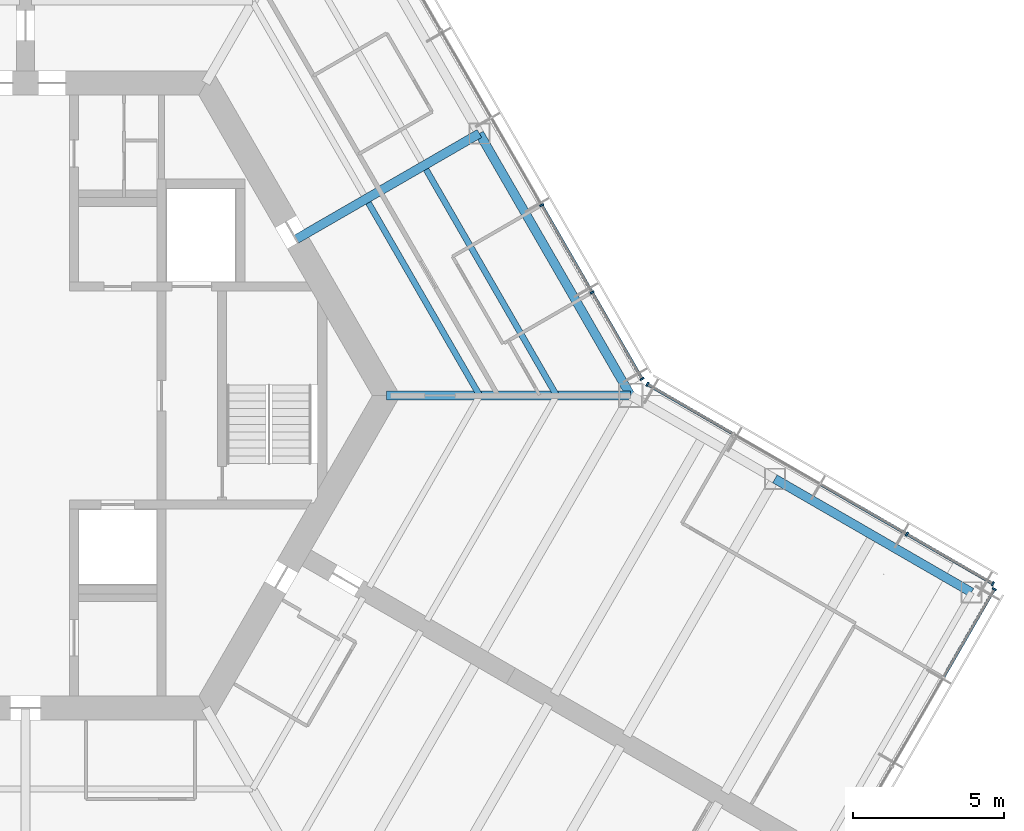
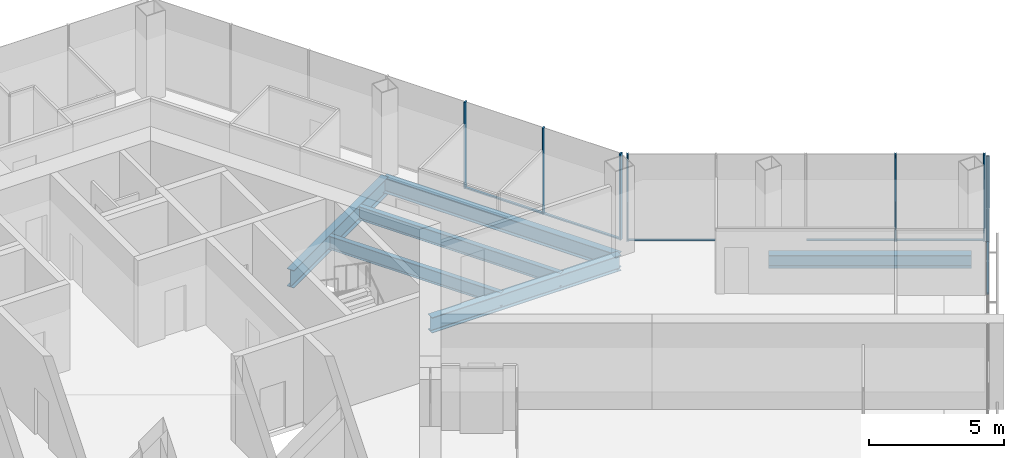
# One storey, part 5 of 17: 13 members, 6 beams, 3 elements without a shape of their own.
"""IFC4 building model written with IfcOpenShell, lengths in metres."""

from ifc_helpers import new_model, si_unit, direction, frame, origin, origin_2d, place, context, subcontext, project, spatial, rectangle, i_section, extrude, material, material_profile, profile_set, type_object, element, aggregate, save


model = new_model("IFC4")

# Units and contexts
model_context = context("Model", 3, precision=1e-05, world=origin(), true_north=direction((0.0, 1.0)))
body_context = subcontext(model_context, "Body", "Model", "MODEL_VIEW")
ifc_project = project(units=[si_unit("LENGTHUNIT", "METRE"), si_unit("AREAUNIT", "SQUARE_METRE"), si_unit("VOLUMEUNIT", "CUBIC_METRE"), si_unit("PLANEANGLEUNIT", "RADIAN"), si_unit("MASSUNIT", "GRAM", prefix="KILO")], contexts=[model_context])

# Site, building, storey
site_placement = place(None, origin())
site = spatial("IfcSite", under=ifc_project, at=site_placement, CompositionType="ELEMENT")
building_placement = place(site_placement, origin())
building = spatial("IfcBuilding", under=site, at=building_placement, Name="Kasaneha Research Tower", CompositionType="ELEMENT")
storey_placement = place(building_placement, frame((0.0, 0.0, 224.5)))
storey = spatial("IfcBuildingStorey", under=building, at=storey_placement, Name="L56", CompositionType="ELEMENT", Elevation=224.5)

# Beams
ifc_material_1 = material(Name="Steel SN490B", Category="steel")
ifc_material_profile_1 = material_profile(ifc_material_1, i_section(OverallWidth=0.199951171875, OverallDepth=0.60009765625, WebThickness=0.010986328125, FlangeThickness=0.01708984375, FilletRadius=0.012939453125, at=origin_2d()), Name="H-600x200x11x17")
ifc_profile_set_1 = profile_set([ifc_material_profile_1], Name="Steel SN490B")
beam_type_1 = type_object("IfcBeamType", Name="B1-3 secondary beam H-600x200x11x17", PredefinedType="JOIST", material=ifc_profile_set_1)
beam_1_placement = place(storey_placement, frame((15.010986328125, 0.0, -0.449951171875), z_axis=(-0.499994443168, 0.866028611999, 0.0), x_axis=(-0.866028611999, -0.499994443168, 0.0)))
element("IfcBeam", 1, at=beam_1_placement, inside=storey, type_object=beam_type_1, Name="Secondary beam RS030L1 L56", PredefinedType="JOIST", context=body_context, shape_type="SweptSolid", body=[
    extrude(i_section(OverallWidth=0.199951171875, OverallDepth=0.60009765625, WebThickness=0.010986328125, FlangeThickness=0.01708984375, FilletRadius=0.012939453125, at=origin_2d()), origin(), (0.0, 0.0, 1.0), 7.35546875),
])
beam_2_placement = place(storey_placement, frame((17.551513671875, 0.0, -0.449951171875), z_axis=(-0.5000050195, 0.866022505755, 0.0), x_axis=(-0.866022505755, -0.5000050195, 0.0)))
element("IfcBeam", 2, at=beam_2_placement, inside=storey, type_object=beam_type_1, Name="Secondary beam RS030L2 L56", PredefinedType="JOIST", context=body_context, shape_type="SweptSolid", body=[
    extrude(i_section(OverallWidth=0.199951171875, OverallDepth=0.60009765625, WebThickness=0.010986328125, FlangeThickness=0.01708984375, FilletRadius=0.012939453125, at=origin_2d()), origin(), (0.0, 0.0, 1.0), 8.6259765625),
])

# Curtain wall, members
ifc_material_2 = material(Name="Glass and aluminium", Category="aluminium")
curtain_wall_type = type_object("IfcCurtainWallType", Name="High-rise office curtain wall", PredefinedType="USERDEFINED", material=ifc_material_2)
curtain_wall_1_placement = place(storey_placement, origin())
curtain_wall_1 = element("IfcCurtainWall", 3, at=curtain_wall_1_placement, inside=storey, type_object=curtain_wall_type, Name="CW-O3 L56 run 01a", ObjectType="UNITISED CURTAIN WALL", PredefinedType="USERDEFINED")
ifc_material_3 = material(Name="Aluminium 6063-T6", Category="aluminium")
ifc_material_profile_2 = material_profile(ifc_material_3, rectangle(XDim=0.06005859375, YDim=0.139892578125, at=origin_2d()), Name="CW-O3 mullion 60x140")
ifc_profile_set_2 = profile_set([ifc_material_profile_2], Name="Aluminium 6063-T6")
member_type_1 = type_object("IfcMemberType", Name="CW-O3 mullion", PredefinedType="MULLION", material=ifc_profile_set_2)
member_1_placement = place(storey_placement, frame((20.374267578125, 0.5517578125, 0.0), z_axis=(0.0, 0.0, 1.0), x_axis=(-0.499999979232, 0.866025415775, 0.0)))
member_1 = element("IfcMember", 4, at=member_1_placement, type_object=member_type_1, Name="CW-O3 mullion 1", PredefinedType="MULLION", context=body_context, shape_type="SweptSolid", body=[
    extrude(rectangle(XDim=0.06005859375, YDim=0.139892578125, at=origin_2d()), origin(), (0.0, 0.0, 1.0), 3.89990234375),
])
member_2_placement = place(storey_placement, frame((18.723876953125, 3.410400390625, 0.0), z_axis=(0.0, 0.0, 1.0), x_axis=(-0.499999979232, 0.866025415775, 0.0)))
member_2 = element("IfcMember", 5, at=member_2_placement, type_object=member_type_1, Name="CW-O3 mullion 2", PredefinedType="MULLION", context=body_context, shape_type="SweptSolid", body=[
    extrude(rectangle(XDim=0.06005859375, YDim=0.139892578125, at=origin_2d()), origin(), (0.0, 0.0, 1.0), 3.89990234375),
])
member_3_placement = place(storey_placement, frame((17.058349609375, 6.295166015625, 0.0), z_axis=(0.0, 0.0, 1.0), x_axis=(-0.499999979232, 0.866025415775, 0.0)))
member_3 = element("IfcMember", 6, at=member_3_placement, type_object=member_type_1, Name="CW-O3 mullion 3", PredefinedType="MULLION", context=body_context, shape_type="SweptSolid", body=[
    extrude(rectangle(XDim=0.06005859375, YDim=0.139892578125, at=origin_2d()), origin(), (0.0, 0.0, 1.0), 3.89990234375),
])

# Curtain wall, member
curtain_wall_2_placement = place(storey_placement, origin())
curtain_wall_2 = element("IfcCurtainWall", 7, at=curtain_wall_2_placement, inside=storey, type_object=curtain_wall_type, Name="CW-O3 L56 run 08a", ObjectType="UNITISED CURTAIN WALL", PredefinedType="USERDEFINED")
member_4_placement = place(storey_placement, frame((32.012939453125, -6.39306640625, 0.0), z_axis=(0.0, 0.0, 1.0), x_axis=(0.500000011442, 0.866025397178, 0.0)))
member_4 = element("IfcMember", 8, at=member_4_placement, type_object=member_type_1, Name="CW-O3 mullion 4", PredefinedType="MULLION", context=body_context, shape_type="SweptSolid", body=[
    extrude(rectangle(XDim=0.06005859375, YDim=0.139892578125, at=origin_2d()), origin(), (0.0, 0.0, 1.0), 3.89990234375),
])

# Curtain wall, members
curtain_wall_3_placement = place(storey_placement, origin())
curtain_wall_3 = element("IfcCurtainWall", 9, at=curtain_wall_3_placement, inside=storey, type_object=curtain_wall_type, Name="CW-O3 L56 run 09a", ObjectType="UNITISED CURTAIN WALL", PredefinedType="USERDEFINED")
member_5_placement = place(storey_placement, frame((31.96533203125, -6.21533203125, 0.0), z_axis=(0.0, 0.0, 1.0), x_axis=(-0.866025411464, 0.499999986699, 0.0)))
member_5 = element("IfcMember", 10, at=member_5_placement, type_object=member_type_1, Name="CW-O3 mullion 1", PredefinedType="MULLION", context=body_context, shape_type="SweptSolid", body=[
    extrude(rectangle(XDim=0.06005859375, YDim=0.139892578125, at=origin_2d()), origin(), (0.0, 0.0, 1.0), 3.89990234375),
])
member_6_placement = place(storey_placement, frame((29.125, -4.575439453125, 0.0), z_axis=(0.0, 0.0, 1.0), x_axis=(-0.866025411464, 0.499999986699, 0.0)))
member_6 = element("IfcMember", 11, at=member_6_placement, type_object=member_type_1, Name="CW-O3 mullion 2", PredefinedType="MULLION", context=body_context, shape_type="SweptSolid", body=[
    extrude(rectangle(XDim=0.06005859375, YDim=0.139892578125, at=origin_2d()), origin(), (0.0, 0.0, 1.0), 3.89990234375),
])
member_7_placement = place(storey_placement, frame((20.5517578125, 0.374267578125, 0.0), z_axis=(0.0, 0.0, 1.0), x_axis=(-0.866025411464, 0.499999986699, 0.0)))
member_7 = element("IfcMember", 12, at=member_7_placement, type_object=member_type_1, Name="CW-O3 mullion 5", PredefinedType="MULLION", context=body_context, shape_type="SweptSolid", body=[
    extrude(rectangle(XDim=0.06005859375, YDim=0.139892578125, at=origin_2d()), origin(), (0.0, 0.0, 1.0), 3.89990234375),
])

# Member
ifc_material_4 = material(Name="Aluminium 6063-T6", Category="aluminium")
ifc_material_profile_3 = material_profile(ifc_material_4, rectangle(XDim=0.10009765625, YDim=0.06005859375, at=origin_2d()), Name="CW-O3 transom 100x60")
ifc_profile_set_3 = profile_set([ifc_material_profile_3], Name="Aluminium 6063-T6")
member_type_2 = type_object("IfcMemberType", Name="CW-O3 transom", PredefinedType="USERDEFINED", material=ifc_profile_set_3)
member_8_placement = place(storey_placement, frame((20.359130859375, 0.577880859375, 0.030029296875), z_axis=(-0.499987643696, 0.866032537582, 0.0), x_axis=(-0.866032537582, -0.499987643696, 0.0)))
member_8 = element("IfcMember", 13, at=member_8_placement, type_object=member_type_2, Name="CW-O3 transom 1", ObjectType="TRANSOM", PredefinedType="USERDEFINED", context=body_context, shape_type="SweptSolid", body=[
    extrude(rectangle(XDim=0.10009765625, YDim=0.06005859375, at=origin_2d()), origin(), (0.0, 0.0, 1.0), 3.24072265625),
])

member_9_placement = place(storey_placement, frame((18.708740234375, 3.4365234375, 0.030029296875), z_axis=(-0.500000270186, 0.866025247793, 0.0), x_axis=(-0.866025247793, -0.500000270186, 0.0)))
member_9 = element("IfcMember", 14, at=member_9_placement, type_object=member_type_2, Name="CW-O3 transom 2", ObjectType="TRANSOM", PredefinedType="USERDEFINED", context=body_context, shape_type="SweptSolid", body=[
    extrude(rectangle(XDim=0.10009765625, YDim=0.06005859375, at=origin_2d()), origin(), (0.0, 0.0, 1.0), 3.27099609375),
])

aggregate(curtain_wall_1, [member_1, member_2, member_3, member_8, member_9])

member_10_placement = place(storey_placement, frame((30.343017578125, -9.285400390625, 0.030029296875), z_axis=(0.500018282537, 0.866014848099, 0.0), x_axis=(-0.866014848099, 0.500018282537, 0.0)))
member_10 = element("IfcMember", 15, at=member_10_placement, type_object=member_type_2, Name="CW-O3 transom 3", ObjectType="TRANSOM", PredefinedType="USERDEFINED", context=body_context, shape_type="SweptSolid", body=[
    extrude(rectangle(XDim=0.10009765625, YDim=0.06005859375, at=origin_2d()), origin(), (0.0, 0.0, 1.0), 3.31005859375),
])

aggregate(curtain_wall_2, [member_4, member_10])

member_11_placement = place(storey_placement, frame((31.939453125, -6.200439453125, 0.030029296875), z_axis=(-0.866041647767, 0.499971863542, 0.0), x_axis=(-0.499971863542, -0.866041647767, 0.0)))
member_11 = element("IfcMember", 16, at=member_11_placement, type_object=member_type_2, Name="CW-O3 transom 1", ObjectType="TRANSOM", PredefinedType="USERDEFINED", context=body_context, shape_type="SweptSolid", body=[
    extrude(rectangle(XDim=0.10009765625, YDim=0.06005859375, at=origin_2d()), origin(), (0.0, 0.0, 1.0), 3.219970703125),
])

member_12_placement = place(storey_placement, frame((29.098876953125, -4.560546875, 0.030029296875), z_axis=(-0.86599666273, 0.500049777664, 0.0), x_axis=(-0.500049777664, -0.86599666273, 0.0)))
member_12 = element("IfcMember", 17, at=member_12_placement, type_object=member_type_2, Name="CW-O3 transom 2", ObjectType="TRANSOM", PredefinedType="USERDEFINED", context=body_context, shape_type="SweptSolid", body=[
    extrude(rectangle(XDim=0.10009765625, YDim=0.06005859375, at=origin_2d()), origin(), (0.0, 0.0, 1.0), 3.249755859375),
])

member_13_placement = place(storey_placement, frame((23.3662109375, -1.250732421875, 0.030029296875), z_axis=(-0.866022692473, 0.500004696101, 0.0), x_axis=(-0.500004696101, -0.866022692473, 0.0)))
member_13 = element("IfcMember", 18, at=member_13_placement, type_object=member_type_2, Name="CW-O3 transom 4", ObjectType="TRANSOM", PredefinedType="USERDEFINED", context=body_context, shape_type="SweptSolid", body=[
    extrude(rectangle(XDim=0.10009765625, YDim=0.06005859375, at=origin_2d()), origin(), (0.0, 0.0, 1.0), 3.2197265625),
])

aggregate(curtain_wall_3, [member_5, member_6, member_7, member_11, member_12, member_13])

# Beams
ifc_material_5 = material(Name="Steel SN490B", Category="steel")
ifc_material_profile_4 = material_profile(ifc_material_5, i_section(OverallWidth=0.300048828125, OverallDepth=0.699951171875, WebThickness=0.012939453125, FlangeThickness=0.02392578125, FilletRadius=0.01806640625, at=origin_2d()), Name="H-700x300x13x24")
ifc_profile_set_4 = profile_set([ifc_material_profile_4], Name="Steel SN490B")
beam_type_2 = type_object("IfcBeamType", Name="G1-3 radial girder H-700x300x13x24", PredefinedType="BEAM", material=ifc_profile_set_4)
beam_3_placement = place(storey_placement, frame((11.92236328125, 0.0, -0.5), z_axis=(1.0, 0.0, 0.0), x_axis=(0.0, 1.0, 0.0)))
element("IfcBeam", 19, at=beam_3_placement, inside=storey, type_object=beam_type_2, Name="Radial girder RV000 L56", PredefinedType="BEAM", context=body_context, shape_type="SweptSolid", body=[
    extrude(i_section(OverallWidth=0.300048828125, OverallDepth=0.699951171875, WebThickness=0.012939453125, FlangeThickness=0.02392578125, FilletRadius=0.01806640625, at=origin_2d()), origin(), (0.0, 0.0, 1.0), 8.07763671875),
])
ifc_material_6 = material(Name="Steel SN490B", Category="steel")
ifc_material_profile_5 = material_profile(ifc_material_6, i_section(OverallWidth=0.300048828125, OverallDepth=0.800048828125, WebThickness=0.013916015625, FlangeThickness=0.02587890625, FilletRadius=0.01806640625, at=origin_2d()), Name="H-800x300x14x26")
ifc_profile_set_5 = profile_set([ifc_material_profile_5], Name="Steel SN490B")
beam_type_3 = type_object("IfcBeamType", Name="G2-3 radial girder H-800x300x14x26", PredefinedType="BEAM", material=ifc_profile_set_5)
beam_4_placement = place(storey_placement, frame((8.941650390625, 5.16259765625, -0.550048828125), z_axis=(0.866039713508, 0.499975214012, 0.0), x_axis=(-0.499975214012, 0.866039713508, 0.0)))
element("IfcBeam", 20, at=beam_4_placement, inside=storey, type_object=beam_type_3, Name="Radial girder RM030 L56", PredefinedType="BEAM", context=body_context, shape_type="SweptSolid", body=[
    extrude(i_section(OverallWidth=0.300048828125, OverallDepth=0.800048828125, WebThickness=0.013916015625, FlangeThickness=0.02587890625, FilletRadius=0.01806640625, at=origin_2d()), origin(), (0.0, 0.0, 1.0), 6.995361328125),
])
ifc_material_7 = material(Name="Steel SN490B", Category="steel")
ifc_material_profile_6 = material_profile(ifc_material_7, i_section(OverallWidth=0.300048828125, OverallDepth=0.69189453125, WebThickness=0.012939453125, FlangeThickness=0.02001953125, FilletRadius=0.01806640625, at=origin_2d()), Name="H-692x300x13x20")
ifc_profile_set_6 = profile_set([ifc_material_profile_6], Name="Steel SN490B")
beam_type_4 = type_object("IfcBeamType", Name="SB1-3 spandrel beam H-692x300x13x20", PredefinedType="SPANDREL", material=ifc_profile_set_6)
beam_5_placement = place(storey_placement, frame((20.0, 0.0, -0.49609375), z_axis=(-0.500004234368, 0.866022959057, 0.0), x_axis=(-0.866022959057, -0.500004234368, 0.0)))
element("IfcBeam", 21, at=beam_5_placement, inside=storey, type_object=beam_type_4, Name="Spandrel beam SR030L L56", PredefinedType="SPANDREL", context=body_context, shape_type="SweptSolid", body=[
    extrude(i_section(OverallWidth=0.300048828125, OverallDepth=0.69189453125, WebThickness=0.012939453125, FlangeThickness=0.02001953125, FilletRadius=0.01806640625, at=origin_2d()), origin(), (0.0, 0.0, 1.0), 10.0),
])
ifc_material_8 = material(Name="Steel SN490B", Category="steel")
ifc_material_profile_7 = material_profile(ifc_material_8, i_section(OverallWidth=0.300048828125, OverallDepth=0.58203125, WebThickness=0.011962890625, FlangeThickness=0.01708984375, FilletRadius=0.012939453125, at=origin_2d()), Name="H-582x300x12x17")
ifc_profile_set_7 = profile_set([ifc_material_profile_7], Name="Steel SN490B")
beam_type_5 = type_object("IfcBeamType", Name="SB2-3 spandrel beam H-582x300x12x17", PredefinedType="SPANDREL", material=ifc_profile_set_7)
beam_6_placement = place(storey_placement, frame((24.76318359375, -2.75, -0.44091796875), z_axis=(0.866022959057, -0.500004234368, 0.0), x_axis=(0.500004234368, 0.866022959057, 0.0)))
element("IfcBeam", 22, at=beam_6_placement, inside=storey, type_object=beam_type_5, Name="Spandrel beam WSCN2 L56", PredefinedType="SPANDREL", context=body_context, shape_type="SweptSolid", body=[
    extrude(i_section(OverallWidth=0.300048828125, OverallDepth=0.58203125, WebThickness=0.011962890625, FlangeThickness=0.01708984375, FilletRadius=0.012939453125, at=origin_2d()), origin(), (0.0, 0.0, 1.0), 7.5),
])

save(model, "model.ifc")
